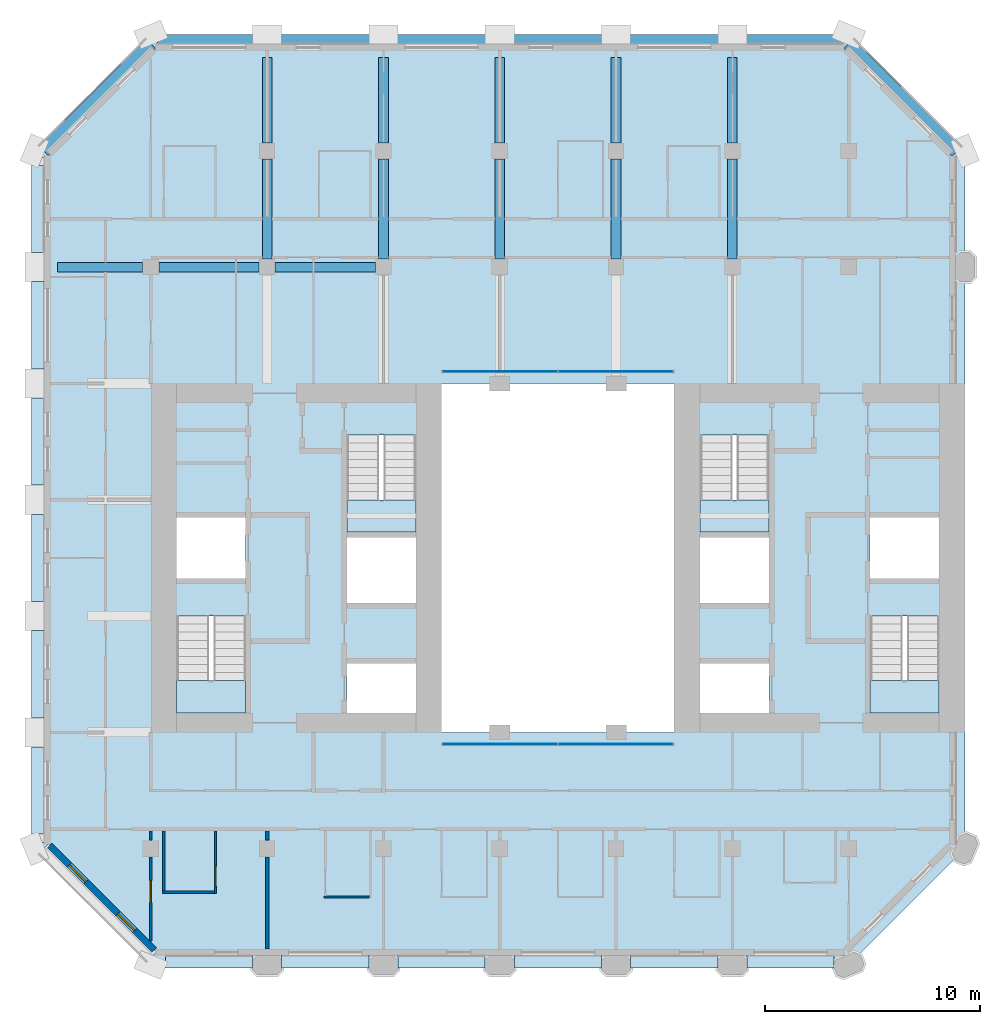
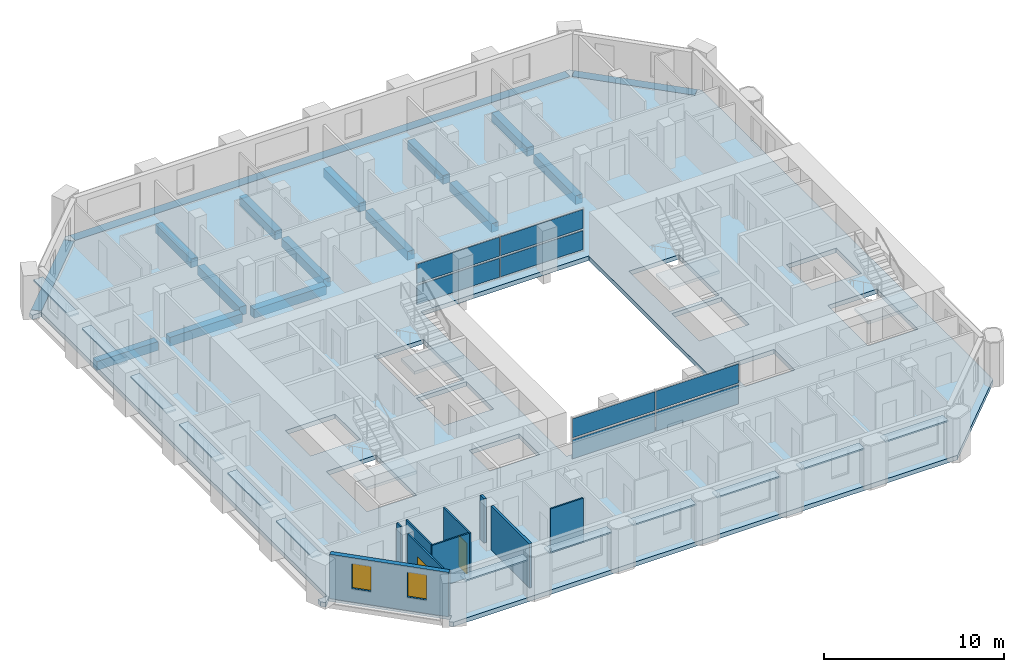
# One storey, part 5 of 13: 20 plates, 16 beams, 9 walls, 5 slabs, 2 doors, 2 windows, 4 openings, 6 elements without a shape of their own.
"""IFC4 building model written with IfcOpenShell, lengths in metres."""

from ifc_helpers import new_model, si_unit, direction, frame, frame_2d, origin, origin_2d, place, context, subcontext, project, spatial, polyline, rectangle, outline, extrude, material, layer, layer_set, material_profile, profile_set, type_object, element, fill, aggregate, save


model = new_model("IFC4")

# Units and contexts
model_context = context("Model", 3, precision=1e-05, world=origin(), true_north=direction((0.0, 1.0)))
body_context = subcontext(model_context, "Body", "Model", "MODEL_VIEW")
ifc_project = project(units=[si_unit("LENGTHUNIT", "METRE"), si_unit("AREAUNIT", "SQUARE_METRE"), si_unit("VOLUMEUNIT", "CUBIC_METRE"), si_unit("PLANEANGLEUNIT", "RADIAN"), si_unit("MASSUNIT", "GRAM", prefix="KILO")], contexts=[model_context])

# Site, building, storey
site_placement = place(None, origin())
site = spatial("IfcSite", under=ifc_project, at=site_placement, CompositionType="ELEMENT")
building_placement = place(site_placement, origin())
building = spatial("IfcBuilding", under=site, at=building_placement, Name="Tabaq Tower and Sports Hall", CompositionType="ELEMENT")
storey_placement = place(building_placement, frame((0.0, 0.0, 210.39990234375)))
storey = spatial("IfcBuildingStorey", under=building, at=storey_placement, Name="L52", CompositionType="ELEMENT", Elevation=210.39990234375)

# Beams
ifc_material_1 = material(Name="Concrete C40/50", Category="concrete")
ifc_material_profile_1 = material_profile(ifc_material_1, rectangle(XDim=0.449951171875, YDim=0.60009765625, at=origin_2d()), Name="CB 450x600")
ifc_profile_set_1 = profile_set([ifc_material_profile_1], Name="Concrete C40/50")
beam_type_1 = type_object("IfcBeamType", Name="PT CANTILEVER BEAM CB 450x600 C40/50", PredefinedType="BEAM", material=ifc_profile_set_1)
beam_1_placement = place(storey_placement, frame((1.074951171875, 37.800048828125, -0.599853515625), z_axis=(1.0, 0.0, 0.0), x_axis=(0.0, 1.0, 0.0)))
element("IfcBeam", 1, at=beam_1_placement, inside=storey, type_object=beam_type_1, Name="Cantilever Beam L52 W7 span 1", PredefinedType="BEAM", context=body_context, shape_type="SweptSolid", body=[
    extrude(rectangle(XDim=0.449951171875, YDim=0.60009765625, at=origin_2d()), origin(), (0.0, 0.0, 1.0), 3.949951171875),
])
beam_2_placement = place(storey_placement, frame((5.77490234375, 37.800048828125, -0.599853515625), z_axis=(1.0, 0.0, 0.0), x_axis=(0.0, 1.0, 0.0)))
element("IfcBeam", 2, at=beam_2_placement, inside=storey, type_object=beam_type_1, Name="Cantilever Beam L52 W7 span 2", PredefinedType="BEAM", context=body_context, shape_type="SweptSolid", body=[
    extrude(rectangle(XDim=0.449951171875, YDim=0.60009765625, at=origin_2d()), origin(), (0.0, 0.0, 1.0), 4.650146484375),
])
beam_3_placement = place(storey_placement, frame((11.175048828125, 37.800048828125, -0.599853515625), z_axis=(1.0, 0.0, 0.0), x_axis=(0.0, 1.0, 0.0)))
element("IfcBeam", 3, at=beam_3_placement, inside=storey, type_object=beam_type_1, Name="Cantilever Beam L52 W7 span 3", PredefinedType="BEAM", context=body_context, shape_type="SweptSolid", body=[
    extrude(rectangle(XDim=0.449951171875, YDim=0.60009765625, at=origin_2d()), origin(), (0.0, 0.0, 1.0), 4.64990234375),
])
beam_4_placement = place(storey_placement, frame((10.800048828125, 47.52490234375, -0.599853515625), z_axis=(0.0, -1.0, 0.0), x_axis=(1.0, 0.0, 0.0)))
element("IfcBeam", 4, at=beam_4_placement, inside=storey, type_object=beam_type_1, Name="Cantilever Beam L52 N2 span 1", PredefinedType="BEAM", context=body_context, shape_type="SweptSolid", body=[
    extrude(rectangle(XDim=0.449951171875, YDim=0.60009765625, at=origin_2d()), origin(), (0.0, 0.0, 1.0), 3.949951171875),
])
beam_5_placement = place(storey_placement, frame((10.800048828125, 42.824951171875, -0.599853515625), z_axis=(0.0, -1.0, 0.0), x_axis=(1.0, 0.0, 0.0)))
element("IfcBeam", 5, at=beam_5_placement, inside=storey, type_object=beam_type_1, Name="Cantilever Beam L52 N2 span 2", PredefinedType="BEAM", context=body_context, shape_type="SweptSolid", body=[
    extrude(rectangle(XDim=0.449951171875, YDim=0.60009765625, at=origin_2d()), origin(), (0.0, 0.0, 1.0), 4.64990234375),
])
beam_6_placement = place(storey_placement, frame((16.199951171875, 47.52490234375, -0.599853515625), z_axis=(0.0, -1.0, 0.0), x_axis=(1.0, 0.0, 0.0)))
element("IfcBeam", 6, at=beam_6_placement, inside=storey, type_object=beam_type_1, Name="Cantilever Beam L52 N3 span 1", PredefinedType="BEAM", context=body_context, shape_type="SweptSolid", body=[
    extrude(rectangle(XDim=0.449951171875, YDim=0.60009765625, at=origin_2d()), origin(), (0.0, 0.0, 1.0), 3.949951171875),
])
beam_7_placement = place(storey_placement, frame((16.199951171875, 42.824951171875, -0.599853515625), z_axis=(0.0, -1.0, 0.0), x_axis=(1.0, 0.0, 0.0)))
element("IfcBeam", 7, at=beam_7_placement, inside=storey, type_object=beam_type_1, Name="Cantilever Beam L52 N3 span 2", PredefinedType="BEAM", context=body_context, shape_type="SweptSolid", body=[
    extrude(rectangle(XDim=0.449951171875, YDim=0.60009765625, at=origin_2d()), origin(), (0.0, 0.0, 1.0), 4.64990234375),
])
beam_8_placement = place(storey_placement, frame((21.60009765625, 47.52490234375, -0.599853515625), z_axis=(0.0, -1.0, 0.0), x_axis=(1.0, 0.0, 0.0)))
element("IfcBeam", 8, at=beam_8_placement, inside=storey, type_object=beam_type_1, Name="Cantilever Beam L52 N4 span 1", PredefinedType="BEAM", context=body_context, shape_type="SweptSolid", body=[
    extrude(rectangle(XDim=0.449951171875, YDim=0.60009765625, at=origin_2d()), origin(), (0.0, 0.0, 1.0), 3.949951171875),
])
beam_9_placement = place(storey_placement, frame((21.60009765625, 42.824951171875, -0.599853515625), z_axis=(0.0, -1.0, 0.0), x_axis=(1.0, 0.0, 0.0)))
element("IfcBeam", 9, at=beam_9_placement, inside=storey, type_object=beam_type_1, Name="Cantilever Beam L52 N4 span 2", PredefinedType="BEAM", context=body_context, shape_type="SweptSolid", body=[
    extrude(rectangle(XDim=0.449951171875, YDim=0.60009765625, at=origin_2d()), origin(), (0.0, 0.0, 1.0), 4.64990234375),
])
beam_10_placement = place(storey_placement, frame((27.0, 47.52490234375, -0.599853515625), z_axis=(0.0, -1.0, 0.0), x_axis=(1.0, 0.0, 0.0)))
element("IfcBeam", 10, at=beam_10_placement, inside=storey, type_object=beam_type_1, Name="Cantilever Beam L52 N5 span 1", PredefinedType="BEAM", context=body_context, shape_type="SweptSolid", body=[
    extrude(rectangle(XDim=0.449951171875, YDim=0.60009765625, at=origin_2d()), origin(), (0.0, 0.0, 1.0), 3.949951171875),
])
beam_11_placement = place(storey_placement, frame((27.0, 42.824951171875, -0.599853515625), z_axis=(0.0, -1.0, 0.0), x_axis=(1.0, 0.0, 0.0)))
element("IfcBeam", 11, at=beam_11_placement, inside=storey, type_object=beam_type_1, Name="Cantilever Beam L52 N5 span 2", PredefinedType="BEAM", context=body_context, shape_type="SweptSolid", body=[
    extrude(rectangle(XDim=0.449951171875, YDim=0.60009765625, at=origin_2d()), origin(), (0.0, 0.0, 1.0), 4.64990234375),
])
beam_12_placement = place(storey_placement, frame((32.39990234375, 47.52490234375, -0.599853515625), z_axis=(0.0, -1.0, 0.0), x_axis=(1.0, 0.0, 0.0)))
element("IfcBeam", 12, at=beam_12_placement, inside=storey, type_object=beam_type_1, Name="Cantilever Beam L52 N6 span 1", PredefinedType="BEAM", context=body_context, shape_type="SweptSolid", body=[
    extrude(rectangle(XDim=0.449951171875, YDim=0.60009765625, at=origin_2d()), origin(), (0.0, 0.0, 1.0), 3.949951171875),
])
beam_13_placement = place(storey_placement, frame((32.39990234375, 42.824951171875, -0.599853515625), z_axis=(0.0, -1.0, 0.0), x_axis=(1.0, 0.0, 0.0)))
element("IfcBeam", 13, at=beam_13_placement, inside=storey, type_object=beam_type_1, Name="Cantilever Beam L52 N6 span 2", PredefinedType="BEAM", context=body_context, shape_type="SweptSolid", body=[
    extrude(rectangle(XDim=0.449951171875, YDim=0.60009765625, at=origin_2d()), origin(), (0.0, 0.0, 1.0), 4.64990234375),
])
ifc_material_2 = material(Name="Concrete C40/50", Category="concrete")
ifc_material_profile_2 = material_profile(ifc_material_2, rectangle(XDim=0.60009765625, YDim=0.300048828125, at=origin_2d()), Name="EB 600x300")
ifc_profile_set_2 = profile_set([ifc_material_profile_2], Name="Concrete C40/50")
beam_type_2 = type_object("IfcBeamType", Name="PT EDGE BEAM EB 600x300 C40/50", PredefinedType="SPANDREL", material=ifc_profile_set_2)
beam_14_placement = place(storey_placement, frame((42.81103515625, 43.16455078125, -0.14990234375), z_axis=(-0.707089559252, 0.707124002701, 0.0), x_axis=(-0.707124002701, -0.707089559252, 0.0)))
element("IfcBeam", 14, at=beam_14_placement, inside=storey, type_object=beam_type_2, Name="Edge Beam L52 1", PredefinedType="SPANDREL", context=body_context, shape_type="SweptSolid", body=[
    extrude(rectangle(XDim=0.60009765625, YDim=0.300048828125, at=origin_2d()), origin(), (0.0, 0.0, 1.0), 7.088134765625),
])
beam_15_placement = place(storey_placement, frame((37.50146484375, 48.300048828125, -0.14990234375), z_axis=(-1.0, 0.0, 0.0), x_axis=(0.0, -1.0, 0.0)))
element("IfcBeam", 15, at=beam_15_placement, inside=storey, type_object=beam_type_2, Name="Edge Beam L52 2", PredefinedType="SPANDREL", context=body_context, shape_type="SweptSolid", body=[
    extrude(rectangle(XDim=0.60009765625, YDim=0.300048828125, at=origin_2d()), origin(), (0.0, 0.0, 1.0), 31.802978515625),
])
beam_16_placement = place(storey_placement, frame((5.401123046875, 48.1767578125, -0.14990234375), z_axis=(-0.707106781187, -0.707106781187, 0.0), x_axis=(0.707106781187, -0.707106781187, 0.0)))
element("IfcBeam", 16, at=beam_16_placement, inside=storey, type_object=beam_type_2, Name="Edge Beam L52 3", PredefinedType="SPANDREL", context=body_context, shape_type="SweptSolid", body=[
    extrude(rectangle(XDim=0.60009765625, YDim=0.300048828125, at=origin_2d()), origin(), (0.0, 0.0, 1.0), 7.03955078125),
])

# Curtain wall, plates
ifc_material_3 = material(Name="Aluminium alloy 6063-T6 framed glazing", Category="aluminium")
curtain_wall_type = type_object("IfcCurtainWallType", Name="CW1 curtain wall", PredefinedType="USERDEFINED", material=ifc_material_3)
curtain_wall_1_placement = place(storey_placement, origin())
curtain_wall_1 = element("IfcCurtainWall", 17, at=curtain_wall_1_placement, inside=storey, type_object=curtain_wall_type, Name="Atrium glazing L52 S", ObjectType="ATRIUM ENCLOSURE", PredefinedType="USERDEFINED")
ifc_material_4 = material(Name="Clear low-emissivity glass 28 mm", Category="glass")
ifc_layer_1 = layer(ifc_material_4, 0.028076171875)
ifc_layer_set_1 = layer_set([ifc_layer_1], Name="CW1 glass panel 28")
plate_type_1 = type_object("IfcPlateType", Name="CW1 glass panel 28", PredefinedType="CURTAIN_PANEL", material=ifc_layer_set_1)
plate_1_placement = place(storey_placement, frame((21.614990234375, 15.64990234375, 0.14013671875), z_axis=(0.0, 0.0, 1.0), x_axis=(1.0, 0.0, 0.0)))
plate_1 = element("IfcPlate", 18, at=plate_1_placement, type_object=plate_type_1, Name="CW1 panel 1.1", PredefinedType="CURTAIN_PANEL", context=body_context, shape_type="SweptSolid", body=[
    extrude(rectangle(XDim=5.31005859375, YDim=0.028076171875, at=origin_2d()), origin(), (0.0, 0.0, 1.0), 1.2900390625),
])
plate_2_placement = place(storey_placement, frame((21.614990234375, 15.64990234375, 1.570068359375), z_axis=(0.0, 0.0, 1.0), x_axis=(1.0, 0.0, 0.0)))
plate_2 = element("IfcPlate", 19, at=plate_2_placement, type_object=plate_type_1, Name="CW1 panel 1.2", PredefinedType="CURTAIN_PANEL", context=body_context, shape_type="SweptSolid", body=[
    extrude(rectangle(XDim=5.31005859375, YDim=0.028076171875, at=origin_2d()), origin(), (0.0, 0.0, 1.0), 1.2900390625),
])
plate_3_placement = place(storey_placement, frame((26.985107421875, 15.64990234375, 0.14013671875), z_axis=(0.0, 0.0, 1.0), x_axis=(1.0, 0.0, 0.0)))
plate_3 = element("IfcPlate", 20, at=plate_3_placement, type_object=plate_type_1, Name="CW1 panel 2.1", PredefinedType="CURTAIN_PANEL", context=body_context, shape_type="SweptSolid", body=[
    extrude(rectangle(XDim=5.31005859375, YDim=0.028076171875, at=origin_2d()), origin(), (0.0, 0.0, 1.0), 1.2900390625),
])
plate_4_placement = place(storey_placement, frame((26.985107421875, 15.64990234375, 1.570068359375), z_axis=(0.0, 0.0, 1.0), x_axis=(1.0, 0.0, 0.0)))
plate_4 = element("IfcPlate", 21, at=plate_4_placement, type_object=plate_type_1, Name="CW1 panel 2.2", PredefinedType="CURTAIN_PANEL", context=body_context, shape_type="SweptSolid", body=[
    extrude(rectangle(XDim=5.31005859375, YDim=0.028076171875, at=origin_2d()), origin(), (0.0, 0.0, 1.0), 1.2900390625),
])
aggregate(curtain_wall_1, [plate_1, plate_2, plate_3, plate_4])

curtain_wall_2_placement = place(storey_placement, origin())
curtain_wall_2 = element("IfcCurtainWall", 22, at=curtain_wall_2_placement, inside=storey, type_object=curtain_wall_type, Name="Atrium glazing L52 N", ObjectType="ATRIUM ENCLOSURE", PredefinedType="USERDEFINED")
plate_5_placement = place(storey_placement, frame((21.614990234375, 32.949951171875, 0.14013671875), z_axis=(0.0, 0.0, 1.0), x_axis=(1.0, 0.0, 0.0)))
plate_5 = element("IfcPlate", 23, at=plate_5_placement, type_object=plate_type_1, Name="CW1 panel 1.1", PredefinedType="CURTAIN_PANEL", context=body_context, shape_type="SweptSolid", body=[
    extrude(rectangle(XDim=5.31005859375, YDim=0.028076171875, at=origin_2d()), origin(), (0.0, 0.0, 1.0), 1.2900390625),
])
plate_6_placement = place(storey_placement, frame((21.614990234375, 32.949951171875, 1.570068359375), z_axis=(0.0, 0.0, 1.0), x_axis=(1.0, 0.0, 0.0)))
plate_6 = element("IfcPlate", 24, at=plate_6_placement, type_object=plate_type_1, Name="CW1 panel 1.2", PredefinedType="CURTAIN_PANEL", context=body_context, shape_type="SweptSolid", body=[
    extrude(rectangle(XDim=5.31005859375, YDim=0.028076171875, at=origin_2d()), origin(), (0.0, 0.0, 1.0), 1.2900390625),
])
plate_7_placement = place(storey_placement, frame((26.985107421875, 32.949951171875, 0.14013671875), z_axis=(0.0, 0.0, 1.0), x_axis=(1.0, 0.0, 0.0)))
plate_7 = element("IfcPlate", 25, at=plate_7_placement, type_object=plate_type_1, Name="CW1 panel 2.1", PredefinedType="CURTAIN_PANEL", context=body_context, shape_type="SweptSolid", body=[
    extrude(rectangle(XDim=5.31005859375, YDim=0.028076171875, at=origin_2d()), origin(), (0.0, 0.0, 1.0), 1.2900390625),
])
plate_8_placement = place(storey_placement, frame((26.985107421875, 32.949951171875, 1.570068359375), z_axis=(0.0, 0.0, 1.0), x_axis=(1.0, 0.0, 0.0)))
plate_8 = element("IfcPlate", 26, at=plate_8_placement, type_object=plate_type_1, Name="CW1 panel 2.2", PredefinedType="CURTAIN_PANEL", context=body_context, shape_type="SweptSolid", body=[
    extrude(rectangle(XDim=5.31005859375, YDim=0.028076171875, at=origin_2d()), origin(), (0.0, 0.0, 1.0), 1.2900390625),
])
aggregate(curtain_wall_2, [plate_5, plate_6, plate_7, plate_8])

# Stair, slab
ifc_material_5 = material(Name="Concrete C40/50", Category="concrete")
stair_type = type_object("IfcStairType", Name="Exit stair", PredefinedType="HALF_TURN_STAIR", material=ifc_material_5)
stair_1_placement = place(storey_placement, origin())
stair_1 = element("IfcStair", 27, at=stair_1_placement, inside=storey, type_object=stair_type, Name="L52 Exit stair ST1", PredefinedType="HALF_TURN_STAIR")
ifc_material_6 = material(Name="Concrete C40/50", Category="concrete")
ifc_layer_2 = layer(ifc_material_6, 0.199951171875)
ifc_layer_set_2 = layer_set([ifc_layer_2], Name="Exit stair landing")
slab_type_1 = type_object("IfcSlabType", Name="Exit stair landing", PredefinedType="LANDING", material=ifc_layer_set_2)
slab_1_placement = place(storey_placement, frame((0.0, 0.0, 1.4501953125)))
slab_1 = element("IfcSlab", 28, at=slab_1_placement, type_object=slab_type_1, Name="ST1 landing 1", PredefinedType="LANDING", context=body_context, shape_type="SweptSolid", body=[
    extrude(outline(polyline([(6.60009765625, 18.60009765625), (6.60009765625, 17.10009765625), (9.800048828125, 17.10009765625), (9.800048828125, 18.60009765625), (6.60009765625, 18.60009765625)])), origin(), (0.0, 0.0, 1.0), 0.199951171875),
])
aggregate(stair_1, [slab_1])

stair_2_placement = place(storey_placement, origin())
stair_2 = element("IfcStair", 29, at=stair_2_placement, inside=storey, type_object=stair_type, Name="L52 Exit stair ST2", PredefinedType="HALF_TURN_STAIR")
slab_2_placement = place(storey_placement, frame((0.0, 0.0, 1.4501953125)))
slab_2 = element("IfcSlab", 30, at=slab_2_placement, type_object=slab_type_1, Name="ST2 landing 1", PredefinedType="LANDING", context=body_context, shape_type="SweptSolid", body=[
    extrude(outline(polyline([(14.5, 27.0), (14.5, 25.5), (17.699951171875, 25.5), (17.699951171875, 27.0), (14.5, 27.0)])), origin(), (0.0, 0.0, 1.0), 0.199951171875),
])
aggregate(stair_2, [slab_2])

stair_3_placement = place(storey_placement, origin())
stair_3 = element("IfcStair", 31, at=stair_3_placement, inside=storey, type_object=stair_type, Name="L52 Exit stair ST3", PredefinedType="HALF_TURN_STAIR")
slab_3_placement = place(storey_placement, frame((0.0, 0.0, 1.4501953125)))
slab_3 = element("IfcSlab", 32, at=slab_3_placement, type_object=slab_type_1, Name="ST3 landing 1", PredefinedType="LANDING", context=body_context, shape_type="SweptSolid", body=[
    extrude(outline(polyline([(38.800048828125, 18.60009765625), (38.800048828125, 17.10009765625), (42.0, 17.10009765625), (42.0, 18.60009765625), (38.800048828125, 18.60009765625)])), origin(), (0.0, 0.0, 1.0), 0.199951171875),
])
aggregate(stair_3, [slab_3])

stair_4_placement = place(storey_placement, origin())
stair_4 = element("IfcStair", 33, at=stair_4_placement, inside=storey, type_object=stair_type, Name="L52 Exit stair ST4", PredefinedType="HALF_TURN_STAIR")
slab_4_placement = place(storey_placement, frame((0.0, 0.0, 1.4501953125)))
slab_4 = element("IfcSlab", 34, at=slab_4_placement, type_object=slab_type_1, Name="ST4 landing 1", PredefinedType="LANDING", context=body_context, shape_type="SweptSolid", body=[
    extrude(outline(polyline([(30.89990234375, 27.0), (30.89990234375, 25.5), (34.10009765625, 25.5), (34.10009765625, 27.0), (30.89990234375, 27.0)])), origin(), (0.0, 0.0, 1.0), 0.199951171875),
])
aggregate(stair_4, [slab_4])

# Slab
ifc_material_7 = material(Name="Concrete C40/50", Category="concrete")
ifc_layer_3 = layer(ifc_material_7, 0.300048828125)
ifc_layer_set_3 = layer_set([ifc_layer_3], Name="PT FLOOR SLAB 300 C40/50")
slab_type_2 = type_object("IfcSlabType", Name="PT FLOOR SLAB 300 C40/50", PredefinedType="FLOOR", material=ifc_layer_set_3)
slab_5_placement = place(storey_placement, frame((0.0, 0.0, -0.2998046875)))
element("IfcSlab", 35, at=slab_5_placement, inside=storey, type_object=slab_type_2, Name="Floor Slab L52", PredefinedType="FLOOR", context=body_context, shape_type="SweptSolid", body=[
    extrude(outline(polyline([(0.0, 11.0986328125), (0.0, 10.800048828125), (0.211181640625, 10.5888671875), (0.63525390625, 11.01318359375), (5.6474609375, 6.0009765625), (5.57666015625, 5.930419921875), (5.22314453125, 5.57666015625), (5.39990234375, 5.39990234375), (37.800048828125, 5.39990234375), (43.199951171875, 10.800048828125), (43.199951171875, 43.199951171875), (43.023193359375, 43.376708984375), (42.669677734375, 43.023193359375), (42.598876953125, 42.952392578125), (37.5869140625, 47.964599609375), (37.657470703125, 48.035400390625), (38.010986328125, 48.388916015625), (37.800048828125, 48.60009765625), (37.50146484375, 48.60009765625), (37.50146484375, 48.10009765625), (37.50146484375, 48.0), (5.698486328125, 48.0), (5.698486328125, 48.10009765625), (5.698486328125, 48.60009765625), (5.39990234375, 48.60009765625), (5.18896484375, 48.388916015625), (5.54248046875, 48.035400390625), (5.61328125, 47.964599609375), (0.63525390625, 42.98681640625), (0.211181640625, 43.4111328125), (0.0, 43.199951171875), (0.0, 42.9013671875), (0.5, 42.9013671875), (0.60009765625, 42.9013671875), (0.60009765625, 11.0986328125), (0.5, 11.0986328125), (0.0, 11.0986328125)]), holes=[polyline([(14.5, 19.39990234375), (17.699951171875, 19.39990234375), (17.699951171875, 17.10009765625), (14.5, 17.10009765625), (14.5, 19.39990234375)]), polyline([(6.60009765625, 21.599365234375), (9.800048828125, 21.599365234375), (9.800048828125, 17.10009765625), (6.60009765625, 17.10009765625), (6.60009765625, 21.599365234375)]), polyline([(14.5, 25.25), (17.699951171875, 25.25), (17.699951171875, 22.199951171875), (14.5, 22.199951171875), (14.5, 25.25)]), polyline([(18.89990234375, 32.39990234375), (29.699951171875, 32.39990234375), (29.699951171875, 16.199951171875), (18.89990234375, 16.199951171875), (18.89990234375, 32.39990234375)]), polyline([(9.800048828125, 26.175048828125), (9.800048828125, 23.35009765625), (6.60009765625, 23.35009765625), (6.60009765625, 26.175048828125), (9.800048828125, 26.175048828125)]), polyline([(14.5, 29.99951171875), (17.699951171875, 29.99951171875), (17.699951171875, 25.5), (14.5, 25.5), (14.5, 29.99951171875)]), polyline([(34.10009765625, 19.39990234375), (34.10009765625, 17.10009765625), (30.89990234375, 17.10009765625), (30.89990234375, 19.39990234375), (34.10009765625, 19.39990234375)]), polyline([(42.0, 21.599365234375), (42.0, 17.10009765625), (38.800048828125, 17.10009765625), (38.800048828125, 21.599365234375), (42.0, 21.599365234375)]), polyline([(30.89990234375, 25.25), (34.10009765625, 25.25), (34.10009765625, 22.199951171875), (30.89990234375, 22.199951171875), (30.89990234375, 25.25)]), polyline([(42.0, 26.175048828125), (42.0, 23.35009765625), (38.800048828125, 23.35009765625), (38.800048828125, 26.175048828125), (42.0, 26.175048828125)]), polyline([(34.10009765625, 29.99951171875), (34.10009765625, 25.5), (30.89990234375, 25.5), (30.89990234375, 29.99951171875), (34.10009765625, 29.99951171875)])]), origin(), (0.0, 0.0, 1.0), 0.2998046875),
])

# Plates
ifc_material_8 = material(Name="White precast concrete C60/75 blade", Category="concrete")
ifc_layer_4 = layer(ifc_material_8, 0.10009765625)
ifc_layer_set_4 = layer_set([ifc_layer_4], Name="White precast concrete C60/75 sunshade 100")
plate_type_2 = type_object("IfcPlateType", Name="White precast concrete C60/75 sunshade 100", PredefinedType="USERDEFINED", material=ifc_layer_set_4)
for number, where, z_axis, x_axis, name in (
    (36, (8.10009765625, 5.550048828125, 2.60009765625), (0.0, 0.0, 1.0), (1.0, 0.0, 0.0), "Sunshade L52 S"),
    (37, (13.5, 5.550048828125, 2.60009765625), (0.0, 0.0, 1.0), (1.0, 0.0, 0.0), "Sunshade L52 S"),
    (38, (18.89990234375, 5.550048828125, 2.60009765625), (0.0, 0.0, 1.0), (1.0, 0.0, 0.0), "Sunshade L52 S"),
    (39, (24.300048828125, 5.550048828125, 2.60009765625), (0.0, 0.0, 1.0), (1.0, 0.0, 0.0), "Sunshade L52 S"),
    (40, (29.699951171875, 5.550048828125, 2.60009765625), (0.0, 0.0, 1.0), (1.0, 0.0, 0.0), "Sunshade L52 S"),
    (41, (35.10009765625, 5.550048828125, 2.60009765625), (0.0, 0.0, 1.0), (1.0, 0.0, 0.0), "Sunshade L52 S"),
    (42, (0.14990234375, 40.5, 2.60009765625), (0.0, 0.0, 1.0), (0.0, -1.0, 0.0), "Sunshade L52 W"),
    (43, (0.14990234375, 35.10009765625, 2.60009765625), (0.0, 0.0, 1.0), (0.0, -1.0, 0.0), "Sunshade L52 W"),
    (44, (0.14990234375, 29.699951171875, 2.60009765625), (0.0, 0.0, 1.0), (0.0, -1.0, 0.0), "Sunshade L52 W"),
    (45, (0.14990234375, 24.300048828125, 2.60009765625), (0.0, 0.0, 1.0), (0.0, -1.0, 0.0), "Sunshade L52 W"),
    (46, (0.14990234375, 18.89990234375, 2.60009765625), (0.0, 0.0, 1.0), (0.0, -1.0, 0.0), "Sunshade L52 W"),
    (47, (0.14990234375, 13.5, 2.60009765625), (0.0, 0.0, 1.0), (0.0, -1.0, 0.0), "Sunshade L52 W"),
):
    element("IfcPlate", number, at=place(storey_placement, frame(where, z_axis=z_axis, x_axis=x_axis)), inside=storey, type_object=plate_type_2, Name=name, ObjectType="SUNSHADE", PredefinedType="USERDEFINED", context=body_context, shape_type="SweptSolid", body=[
        extrude(rectangle(XDim=4.050048828125, YDim=0.60009765625, at=origin_2d()), origin(), (0.0, 0.0, 1.0), 0.10009765625),
    ])

# Wall
ifc_material_9 = material(Name="Gypsum board on steel studs", Category="steel")
ifc_layer_5 = layer(ifc_material_9, 0.10009765625)
ifc_layer_set_5 = layer_set([ifc_layer_5], Name="Partition 100 Gypsum board")
wall_type_1 = type_object("IfcWallType", Name="Partition 100 Gypsum board", PredefinedType="PARTITIONING", material=ifc_layer_set_5)
wall_1_placement = place(storey_placement, frame((15.550048828125, 8.550048828125, 0.0), z_axis=(0.0, 0.0, 1.0), x_axis=(-1.0, 0.0, 0.0)))
element("IfcWall", 48, at=wall_1_placement, inside=storey, type_object=wall_type_1, Name="Partition wall L52", PredefinedType="PARTITIONING", context=body_context, shape_type="SweptSolid", body=[
    extrude(rectangle(XDim=2.10009765625, YDim=0.10009765625, at=frame_2d((1.050048828125, 0.0))), origin(), (0.0, 0.0, 1.0), 3.0),
])

# Wall, opening, door
wall_2_placement = place(storey_placement, frame((8.39990234375, 11.625, 0.0), z_axis=(0.0, 0.0, 1.0), x_axis=(0.0, -1.0, 0.0)))
wall_2 = element("IfcWall", 49, at=wall_2_placement, inside=storey, type_object=wall_type_1, Name="Partition wall L52", PredefinedType="PARTITIONING", context=body_context, shape_type="SweptSolid", body=[
    extrude(rectangle(XDim=2.89990234375, YDim=0.10009765625, at=frame_2d((1.449951171875, 0.0))), origin(), (0.0, 0.0, 1.0), 3.0),
])
opening_1_placement = place(wall_2_placement, frame((1.64990234375, 0.0, 0.0)))
opening_1 = element("IfcOpeningElement", 50, at=opening_1_placement, cuts=wall_2, Name="Opening L52-020", PredefinedType="OPENING", context=body_context, shape_type="SweptSolid", body=[
    extrude(rectangle(XDim=0.89990234375, YDim=2.10009765625, at=frame_2d((0.449951171875, 1.050048828125))), frame((0.0, 0.050048828125, 0.0), z_axis=(0.0, -1.0, 0.0), x_axis=(1.0, 0.0, 0.0)), (0.0, 0.0, 1.0), 0.10009765625),
])
ifc_material_10 = material(Name="Timber leaf in steel frame", Category="steel")
door_type_1 = type_object("IfcDoorType", Name="Internal door 900 left hand", OperationType="SINGLE_SWING_LEFT", PredefinedType="DOOR", material=ifc_material_10)
door_1_placement = place(opening_1_placement, origin())
door_1 = element("IfcDoor", 51, at=door_1_placement, inside=storey, type_object=door_type_1, Name="Internal door L52-020", OperationType="SINGLE_SWING_LEFT", OverallHeight=2.10009765625, OverallWidth=0.89990234375, PredefinedType="DOOR", context=body_context, shape_type="SweptSolid", body=[
    extrude(rectangle(XDim=0.89990234375, YDim=2.10009765625, at=frame_2d((0.449951171875, 1.050048828125))), frame((0.0, 0.02490234375, 0.0), z_axis=(0.0, -1.0, 0.0), x_axis=(1.0, 0.0, 0.0)), (0.0, 0.0, 1.0), 0.050048828125),
])
fill(opening_1, door_1)

# Walls
wall_3_placement = place(storey_placement, frame((8.35009765625, 8.77490234375, 0.0), z_axis=(0.0, 0.0, 1.0), x_axis=(-1.0, 0.0, 0.0)))
element("IfcWall", 52, at=wall_3_placement, inside=storey, type_object=wall_type_1, Name="Partition wall L52", PredefinedType="PARTITIONING", context=body_context, shape_type="SweptSolid", body=[
    extrude(rectangle(XDim=2.400146484375, YDim=0.10009765625, at=frame_2d((1.2001953125, 0.0))), origin(), (0.0, 0.0, 1.0), 3.0),
])
wall_4_placement = place(storey_placement, frame((6.0, 8.824951171875, 0.0), z_axis=(0.0, 0.0, 1.0), x_axis=(0.0, 1.0, 0.0)))
element("IfcWall", 53, at=wall_4_placement, inside=storey, type_object=wall_type_1, Name="Partition wall L52", PredefinedType="PARTITIONING", context=body_context, shape_type="SweptSolid", body=[
    extrude(rectangle(XDim=2.800048828125, YDim=0.10009765625, at=frame_2d((1.39990234375, 0.0))), origin(), (0.0, 0.0, 1.0), 3.0),
])
wall_5_placement = place(storey_placement, frame((5.39990234375, 11.625, 0.0), z_axis=(0.0, 0.0, 1.0), x_axis=(0.0, -1.0, 0.0)))
element("IfcWall", 54, at=wall_5_placement, inside=storey, type_object=wall_type_1, Name="Partition wall L52", PredefinedType="PARTITIONING", context=body_context, shape_type="SweptSolid", body=[
    extrude(rectangle(XDim=0.429931640625, YDim=0.10009765625, at=frame_2d((0.21484375, 0.0))), origin(), (0.0, 0.0, 1.0), 3.0),
])

# Wall, opening, door
wall_6_placement = place(storey_placement, frame((5.39990234375, 10.405029296875, 0.0), z_axis=(0.0, 0.0, 1.0), x_axis=(0.0, -1.0, 0.0)))
wall_6 = element("IfcWall", 55, at=wall_6_placement, inside=storey, type_object=wall_type_1, Name="Partition wall L52", PredefinedType="PARTITIONING", context=body_context, shape_type="SweptSolid", body=[
    extrude(rectangle(XDim=3.892822265625, YDim=0.10009765625, at=frame_2d((1.9462890625, 0.0))), origin(), (0.0, 0.0, 1.0), 3.0),
])
opening_2_placement = place(wall_6_placement, frame((1.092529296875, 0.0, 0.0)))
opening_2 = element("IfcOpeningElement", 56, at=opening_2_placement, cuts=wall_6, Name="Opening L52-044", PredefinedType="OPENING", context=body_context, shape_type="SweptSolid", body=[
    extrude(rectangle(XDim=1.0, YDim=2.10009765625, at=frame_2d((0.5, 1.050048828125))), frame((0.0, 0.050048828125, 0.0), z_axis=(0.0, -1.0, 0.0), x_axis=(1.0, 0.0, 0.0)), (0.0, 0.0, 1.0), 0.10009765625),
])
ifc_material_11 = material(Name="Timber leaf in steel frame", Category="steel")
door_type_2 = type_object("IfcDoorType", Name="Internal door 1000 left hand", OperationType="SINGLE_SWING_LEFT", PredefinedType="DOOR", material=ifc_material_11)
door_2_placement = place(opening_2_placement, origin())
door_2 = element("IfcDoor", 57, at=door_2_placement, inside=storey, type_object=door_type_2, Name="Internal door L52-044", OperationType="SINGLE_SWING_LEFT", OverallHeight=2.10009765625, OverallWidth=1.0, PredefinedType="DOOR", context=body_context, shape_type="SweptSolid", body=[
    extrude(rectangle(XDim=1.0, YDim=2.10009765625, at=frame_2d((0.5, 1.050048828125))), frame((0.0, 0.02490234375, 0.0), z_axis=(0.0, -1.0, 0.0), x_axis=(1.0, 0.0, 0.0)), (0.0, 0.0, 1.0), 0.050048828125),
])
fill(opening_2, door_2)

# Walls
ifc_material_12 = material(Name="Blockwork", Category="masonry")
ifc_layer_6 = layer(ifc_material_12, 0.14990234375)
ifc_layer_set_6 = layer_set([ifc_layer_6], Name="Separating wall 150 Blockwork")
wall_type_2 = type_object("IfcWallType", Name="Separating wall 150 Blockwork", PredefinedType="PARTITIONING", material=ifc_layer_set_6)
wall_7_placement = place(storey_placement, frame((10.800048828125, 11.625, 0.0), z_axis=(0.0, 0.0, 1.0), x_axis=(0.0, -1.0, 0.0)))
element("IfcWall", 58, at=wall_7_placement, inside=storey, type_object=wall_type_2, Name="Separating wall L52", PredefinedType="PARTITIONING", context=body_context, shape_type="SweptSolid", body=[
    extrude(rectangle(XDim=0.429931640625, YDim=0.14990234375, at=frame_2d((0.21484375, 0.0))), origin(), (0.0, 0.0, 1.0), 3.0),
])
wall_8_placement = place(storey_placement, frame((10.800048828125, 10.405029296875, 0.0), z_axis=(0.0, 0.0, 1.0), x_axis=(0.0, -1.0, 0.0)))
element("IfcWall", 59, at=wall_8_placement, inside=storey, type_object=wall_type_2, Name="Separating wall L52", PredefinedType="PARTITIONING", context=body_context, shape_type="SweptSolid", body=[
    extrude(rectangle(XDim=4.254150390625, YDim=0.14990234375, at=frame_2d((2.126953125, 0.0))), origin(), (0.0, 0.0, 1.0), 3.0),
])

# Wall, openings, windows
ifc_material_13 = material(Name="White precast concrete C60/75", Category="concrete")
ifc_layer_7 = layer(ifc_material_13, 0.300048828125)
ifc_layer_set_7 = layer_set([ifc_layer_7], Name="White precast concrete C60/75 external wall 300")
wall_type_3 = type_object("IfcWallType", Name="White precast concrete C60/75 external wall 300", PredefinedType="SOLIDWALL", material=ifc_layer_set_7)
wall_9_placement = place(storey_placement, frame((0.698974609375, 10.949462890625, 0.0), z_axis=(0.0, 0.0, 1.0), x_axis=(0.707106781187, -0.707106781187, 0.0)))
wall_9 = element("IfcWall", 60, at=wall_9_placement, inside=storey, type_object=wall_type_3, Name="External Wall L52 SW", PredefinedType="SOLIDWALL", context=body_context, shape_type="SweptSolid", body=[
    extrude(rectangle(XDim=6.85986328125, YDim=0.300048828125, at=frame_2d((3.429931640625, 0.0))), origin(), (0.0, 0.0, 1.0), 3.0),
])
opening_3_placement = place(wall_9_placement, frame((1.27978515625, 0.0, 0.89990234375)))
opening_3 = element("IfcOpeningElement", 61, at=opening_3_placement, cuts=wall_9, Name="Opening W1B", PredefinedType="OPENING", context=body_context, shape_type="SweptSolid", body=[
    extrude(rectangle(XDim=1.10009765625, YDim=1.699951171875, at=frame_2d((0.550048828125, 0.85009765625))), frame((0.0, 0.16015625, 0.0), z_axis=(0.0, -1.0, 0.0), x_axis=(1.0, 0.0, 0.0)), (0.0, 0.0, 1.0), 0.320068359375),
])
opening_4_placement = place(wall_9_placement, frame((4.479736328125, 0.0, 0.89990234375)))
opening_4 = element("IfcOpeningElement", 62, at=opening_4_placement, cuts=wall_9, Name="Opening W1B", PredefinedType="OPENING", context=body_context, shape_type="SweptSolid", body=[
    extrude(rectangle(XDim=1.10009765625, YDim=1.699951171875, at=frame_2d((0.550048828125, 0.85009765625))), frame((0.0, 0.16015625, 0.0), z_axis=(0.0, -1.0, 0.0), x_axis=(1.0, 0.0, 0.0)), (0.0, 0.0, 1.0), 0.320068359375),
])
ifc_material_14 = material(Name="Aluminium framed clear glazing", Category="aluminium")
window_type = type_object("IfcWindowType", Name="Window W1B", PartitioningType="SINGLE_PANEL", PredefinedType="WINDOW", material=ifc_material_14)
window_1_placement = place(opening_3_placement, origin())
window_1 = element("IfcWindow", 63, at=window_1_placement, inside=storey, type_object=window_type, Name="Window W1B L52", OverallHeight=1.699951171875, OverallWidth=1.10009765625, PartitioningType="SINGLE_PANEL", PredefinedType="WINDOW", context=body_context, shape_type="SweptSolid", body=[
    extrude(rectangle(XDim=1.10009765625, YDim=1.699951171875, at=frame_2d((0.550048828125, 0.85009765625))), frame((0.0, 0.030029296875, 0.0), z_axis=(0.0, -1.0, 0.0), x_axis=(1.0, 0.0, 0.0)), (0.0, 0.0, 1.0), 0.06005859375),
])
fill(opening_3, window_1)
window_2_placement = place(opening_4_placement, origin())
window_2 = element("IfcWindow", 64, at=window_2_placement, inside=storey, type_object=window_type, Name="Window W1B L52", OverallHeight=1.699951171875, OverallWidth=1.10009765625, PartitioningType="SINGLE_PANEL", PredefinedType="WINDOW", context=body_context, shape_type="SweptSolid", body=[
    extrude(rectangle(XDim=1.10009765625, YDim=1.699951171875, at=frame_2d((0.550048828125, 0.85009765625))), frame((0.0, 0.030029296875, 0.0), z_axis=(0.0, -1.0, 0.0), x_axis=(1.0, 0.0, 0.0)), (0.0, 0.0, 1.0), 0.06005859375),
])
fill(opening_4, window_2)

save(model, "model.ifc")
